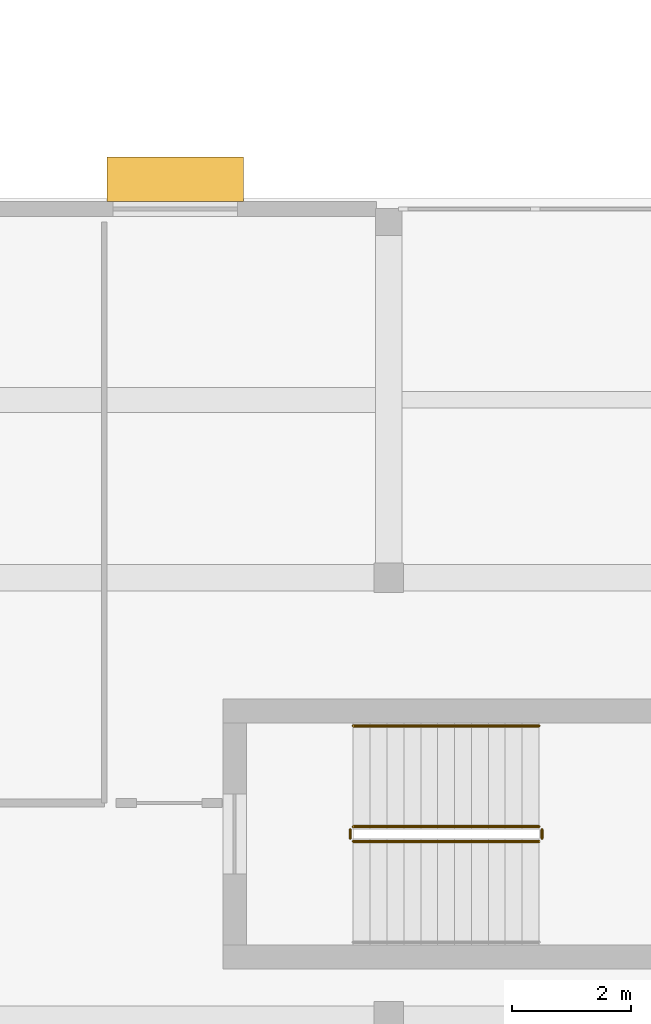
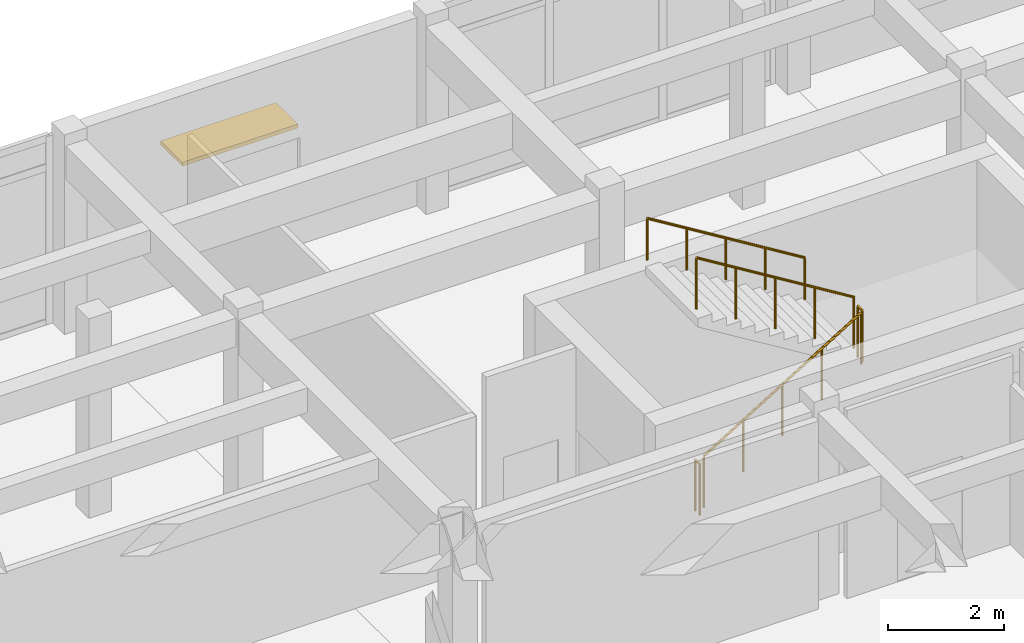
# One storey, part 46 of 47: 5 railings, 1 shading device.
"""IFC4 building model written with IfcOpenShell, lengths in metres."""

from ifc_helpers import new_model, si_unit, direction, frame, origin, origin_2d, place, context, subcontext, project, spatial, rectangle, circle, extrude, material, layer, layer_set, type_object, element, save


model = new_model("IFC4")

# Units and contexts
model_context = context("Model", 3, precision=1e-05, world=origin(), true_north=direction((0.0, 1.0)))
body_context = subcontext(model_context, "Body", "Model", "MODEL_VIEW")
ifc_project = project(units=[si_unit("LENGTHUNIT", "METRE"), si_unit("AREAUNIT", "SQUARE_METRE"), si_unit("VOLUMEUNIT", "CUBIC_METRE"), si_unit("PLANEANGLEUNIT", "RADIAN"), si_unit("MASSUNIT", "GRAM", prefix="KILO")], contexts=[model_context])

# Site, building, storey
site_placement = place(None, origin())
site = spatial("IfcSite", under=ifc_project, at=site_placement, CompositionType="ELEMENT")
building_placement = place(site_placement, origin())
building = spatial("IfcBuilding", under=site, at=building_placement, Name="Brisavento Harbour Community Centre", CompositionType="ELEMENT")
storey_placement = place(building_placement, frame((0.0, 0.0, 8.699951171875)))
storey = spatial("IfcBuildingStorey", under=building, at=storey_placement, Name="L02", CompositionType="ELEMENT", Elevation=8.699951171875)

# Railings
ifc_material_1 = material(Name="Stainless steel 1.4401", Category="steel")
railing_type_1 = type_object("IfcRailingType", Name="RL-ST-GUARD", PredefinedType="GUARDRAIL", material=ifc_material_1)
railing_1_placement = place(storey_placement, frame((157.800048828125, 17.949951171875, 0.175048828125)))
element("IfcRailing", 1, at=railing_1_placement, inside=storey, type_object=railing_type_1, Name="L02 ST-05 stair guard 1", PredefinedType="GUARDRAIL", context=body_context, shape_type="SweptSolid", body=[
    extrude(circle(Radius=0.02392578125, at=origin_2d()), frame((0.0, 0.0, 1.076171875), z_axis=(0.852166034122, 0.0, 0.523271488128), x_axis=(0.0, 1.0, 0.0)), (0.0, 0.0, 1.0), 3.678955078125),
    extrude(circle(Radius=0.02099609375, at=origin_2d()), origin(), (0.0, 0.0, 1.0), 1.052001953125),
    extrude(circle(Radius=0.02099609375, at=origin_2d()), frame((0.78369140625, 0.0, 0.481201171875)), (0.0, 0.0, 1.0), 1.052001953125),
    extrude(circle(Radius=0.02099609375, at=origin_2d()), frame((1.5673828125, 0.0, 0.96240234375)), (0.0, 0.0, 1.0), 1.052001953125),
    extrude(circle(Radius=0.02099609375, at=origin_2d()), frame((2.351318359375, 0.0, 1.44384765625)), (0.0, 0.0, 1.0), 1.052001953125),
    extrude(circle(Radius=0.02099609375, at=origin_2d()), frame((3.135009765625, 0.0, 1.925048828125)), (0.0, 0.0, 1.0), 1.052001953125),
])
railing_2_placement = place(storey_placement, frame((160.985107421875, 18.0, 2.10009765625)))
element("IfcRailing", 2, at=railing_2_placement, inside=storey, type_object=railing_type_1, Name="L02 ST-05 stair guard 2", PredefinedType="GUARDRAIL", context=body_context, shape_type="SweptSolid", body=[
    extrude(circle(Radius=0.02392578125, at=origin_2d()), frame((0.0, 0.0, 1.076171875), z_axis=(0.0, 1.0, 0.0), x_axis=(-1.0, 0.0, 0.0)), (0.0, 0.0, 1.0), 0.14990234375),
    extrude(circle(Radius=0.02099609375, at=origin_2d()), origin(), (0.0, 0.0, 1.0), 1.052001953125),
    extrude(circle(Radius=0.02099609375, at=origin_2d()), frame((0.0, 0.14990234375, 0.0)), (0.0, 0.0, 1.0), 1.052001953125),
])
railing_3_placement = place(storey_placement, frame((160.93505859375, 18.199951171875, 2.275146484375)))
element("IfcRailing", 3, at=railing_3_placement, inside=storey, type_object=railing_type_1, Name="L02 ST-05 stair guard 3", PredefinedType="GUARDRAIL", context=body_context, shape_type="SweptSolid", body=[
    extrude(circle(Radius=0.02392578125, at=origin_2d()), frame((0.0, 0.0, 1.076171875), z_axis=(-0.852195625947, 0.0, 0.523223293744), x_axis=(0.0, -1.0, 0.0)), (0.0, 0.0, 1.0), 3.6787109375),
    extrude(circle(Radius=0.02099609375, at=origin_2d()), origin(), (0.0, 0.0, 1.0), 1.052001953125),
    extrude(circle(Radius=0.02099609375, at=origin_2d()), frame((-0.78369140625, 0.0, 0.481201171875)), (0.0, 0.0, 1.0), 1.052001953125),
    extrude(circle(Radius=0.02099609375, at=origin_2d()), frame((-1.5673828125, 0.0, 0.96240234375)), (0.0, 0.0, 1.0), 1.052001953125),
    extrude(circle(Radius=0.02099609375, at=origin_2d()), frame((-2.351318359375, 0.0, 1.443603515625)), (0.0, 0.0, 1.0), 1.052001953125),
    extrude(circle(Radius=0.02099609375, at=origin_2d()), frame((-3.135009765625, 0.0, 1.9248046875)), (0.0, 0.0, 1.0), 1.052001953125),
])
railing_4_placement = place(storey_placement, frame((157.75, 18.0, 0.0)))
element("IfcRailing", 4, at=railing_4_placement, inside=storey, type_object=railing_type_1, Name="L02 ST-05 stair guard 4", PredefinedType="GUARDRAIL", context=body_context, shape_type="SweptSolid", body=[
    extrude(circle(Radius=0.02392578125, at=origin_2d()), frame((0.0, 0.0, 1.076171875), z_axis=(0.0, 1.0, 0.0), x_axis=(-1.0, 0.0, 0.0)), (0.0, 0.0, 1.0), 0.14990234375),
    extrude(circle(Radius=0.02099609375, at=origin_2d()), origin(), (0.0, 0.0, 1.0), 1.052001953125),
    extrude(circle(Radius=0.02099609375, at=origin_2d()), frame((0.0, 0.14990234375, 0.0)), (0.0, 0.0, 1.0), 1.052001953125),
])
railing_type_2 = type_object("IfcRailingType", Name="RL-ST-HAND", PredefinedType="HANDRAIL", material=ifc_material_1)
railing_5_placement = place(storey_placement, frame((160.93505859375, 19.89990234375, 2.275146484375)))
element("IfcRailing", 5, at=railing_5_placement, inside=storey, type_object=railing_type_2, Name="L02 ST-05 stair handrail 2", PredefinedType="HANDRAIL", context=body_context, shape_type="SweptSolid", body=[
    extrude(circle(Radius=0.02392578125, at=origin_2d()), frame((0.0, 0.0, 0.8759765625), z_axis=(-0.852195625947, 0.0, 0.523223293744), x_axis=(0.0, -1.0, 0.0)), (0.0, 0.0, 1.0), 3.6787109375),
    extrude(circle(Radius=0.02099609375, at=origin_2d()), origin(), (0.0, 0.0, 1.0), 0.851806640625),
    extrude(circle(Radius=0.02099609375, at=origin_2d()), frame((-0.78369140625, 0.0, 0.481201171875)), (0.0, 0.0, 1.0), 0.851806640625),
    extrude(circle(Radius=0.02099609375, at=origin_2d()), frame((-1.5673828125, 0.0, 0.96240234375)), (0.0, 0.0, 1.0), 0.851806640625),
    extrude(circle(Radius=0.02099609375, at=origin_2d()), frame((-2.351318359375, 0.0, 1.443603515625)), (0.0, 0.0, 1.0), 0.851806640625),
    extrude(circle(Radius=0.02099609375, at=origin_2d()), frame((-3.135009765625, 0.0, 1.9248046875)), (0.0, 0.0, 1.0), 0.851806640625),
])

# Shading device
ifc_material_2 = material(Name="Off-white precast concrete C40/50", Category="concrete")
ifc_layer = layer(ifc_material_2, 0.080078125, Name="Off-white precast concrete C40/50")
ifc_layer_set = layer_set([ifc_layer], Name="Off-white precast concrete C40/50")
shading_device_type = type_object("IfcShadingDeviceType", Name="SHD-BLADE", PredefinedType="USERDEFINED", material=ifc_layer_set)
shading_device_placement = place(storey_placement, frame((154.800048828125, 29.1201171875, 2.260009765625), z_axis=(0.0, 0.0, 1.0), x_axis=(1.0, 0.0, 0.0)))
element("IfcShadingDevice", 6, at=shading_device_placement, inside=storey, type_object=shading_device_type, Name="L02 precast storm sunshade blade 33", ObjectType="SUNSHADE BLADE", PredefinedType="USERDEFINED", context=body_context, shape_type="SweptSolid", body=[
    extrude(rectangle(XDim=2.300048828125, YDim=0.75, at=origin_2d()), origin(), (0.0, 0.0, 1.0), 0.080078125),
])

save(model, "model.ifc")
